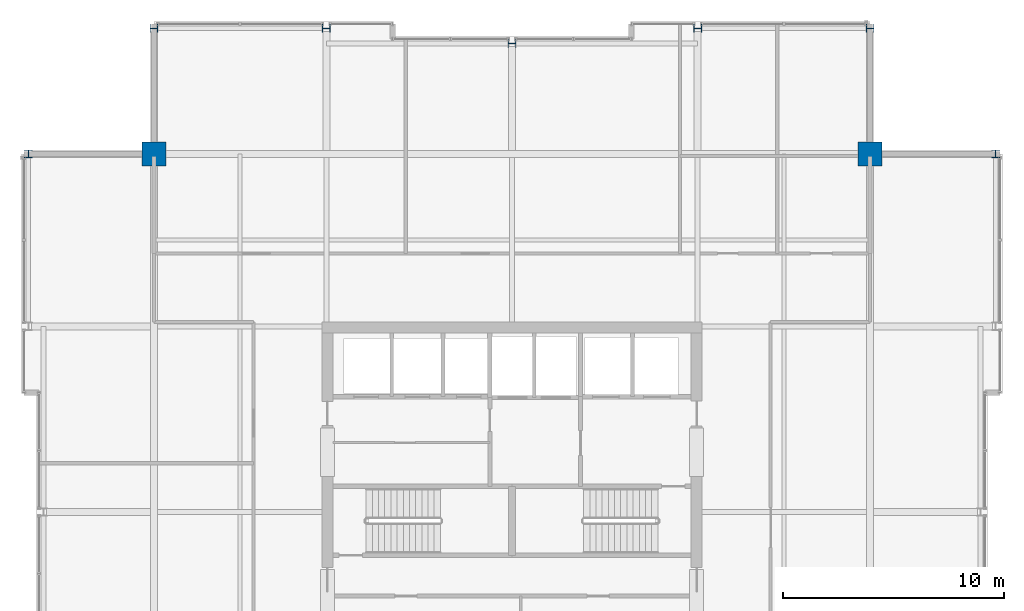
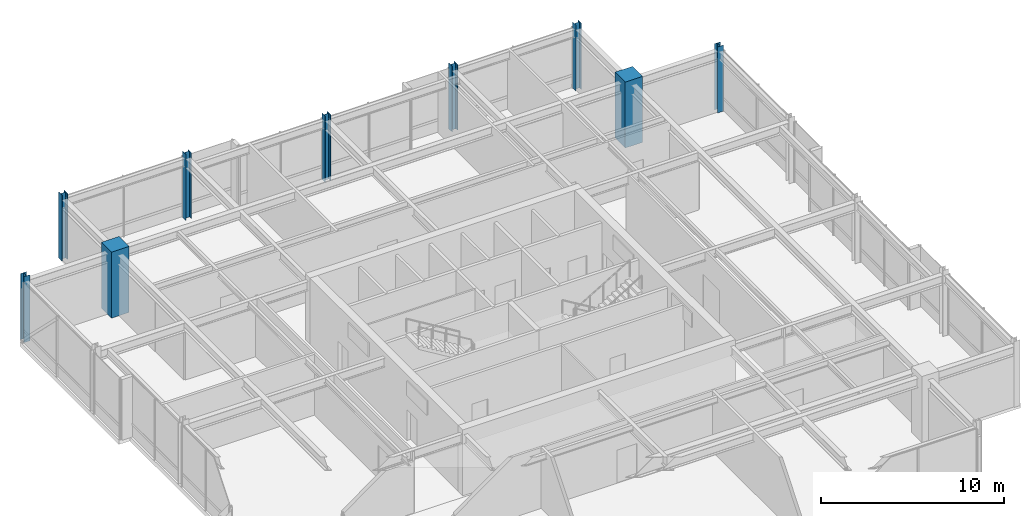
# One storey, part 3 of 33: 9 columns.
"""IFC4 building model written with IfcOpenShell, lengths in metres."""

from ifc_helpers import new_model, si_unit, direction, frame, origin, origin_2d, place, context, subcontext, project, spatial, rectangle, i_section, extrude, material, material_profile, profile_set, type_object, element, save


model = new_model("IFC4")

# Units and contexts
model_context = context("Model", 3, precision=1e-05, world=origin(), true_north=direction((0.0, 1.0)))
body_context = subcontext(model_context, "Body", "Model", "MODEL_VIEW")
ifc_project = project(units=[si_unit("LENGTHUNIT", "METRE"), si_unit("AREAUNIT", "SQUARE_METRE"), si_unit("VOLUMEUNIT", "CUBIC_METRE"), si_unit("PLANEANGLEUNIT", "RADIAN"), si_unit("MASSUNIT", "GRAM", prefix="KILO")], contexts=[model_context])

# Site, building, storey
site_placement = place(None, origin())
site = spatial("IfcSite", under=ifc_project, at=site_placement, CompositionType="ELEMENT")
building_placement = place(site_placement, origin())
building = spatial("IfcBuilding", under=site, at=building_placement, Name="Drelvath Grand Hotel", CompositionType="ELEMENT")
storey_placement = place(building_placement, frame((0.0, 0.0, 298.60009765625)))
storey = spatial("IfcBuildingStorey", under=building, at=storey_placement, Name="L78", CompositionType="ELEMENT", Elevation=298.60009765625)

# Columns
ifc_material_1 = material(Name="Concrete f'c 55 MPa", Category="concrete")
ifc_material_profile_1 = material_profile(ifc_material_1, rectangle(XDim=1.10009765625, YDim=1.10009765625, at=origin_2d()), Name="MC1100X1100")
ifc_profile_set_1 = profile_set([ifc_material_profile_1], Name="Concrete f'c 55 MPa")
column_type_1 = type_object("IfcColumnType", Name="Composite Mega Column MC1100X1100", PredefinedType="COLUMN", material=ifc_profile_set_1)
for number, where, z_axis, x_axis, name in (
    (1, (-16.199951171875, 43.199951171875, 0.0), (0.0, 0.0, 1.0), (1.0, 0.0, 0.0), "L78 Composite Mega Column MC-NW"),
    (2, (16.199951171875, 43.199951171875, 0.0), (0.0, 0.0, 1.0), (1.0, 0.0, 0.0), "L78 Composite Mega Column MC-NE"),
):
    element("IfcColumn", number, at=place(storey_placement, frame(where, z_axis=z_axis, x_axis=x_axis)), inside=storey, type_object=column_type_1, Name=name, PredefinedType="COLUMN", context=body_context, shape_type="SweptSolid", body=[
        extrude(rectangle(XDim=1.10009765625, YDim=1.10009765625, at=origin_2d()), origin(), (0.0, 0.0, 1.0), 4.39990234375),
    ])
ifc_material_2 = material(Name="Steel ASTM A913 Gr 65", Category="steel")
ifc_material_profile_2 = material_profile(ifc_material_2, i_section(OverallWidth=0.368896484375, OverallDepth=0.356201171875, WebThickness=0.01123046875, FlangeThickness=0.01806640625, FilletRadius=0.02490234375, at=origin_2d()), Name="W14X90")
ifc_profile_set_2 = profile_set([ifc_material_profile_2], Name="Steel ASTM A913 Gr 65")
column_type_2 = type_object("IfcColumnType", Name="Perimeter Steel Column W14X90", PredefinedType="COLUMN", material=ifc_profile_set_2)
for number, where, z_axis, x_axis, name in (
    (3, (-21.8798828125, 43.199951171875, 0.0), (0.0, 0.0, 1.0), (1.0, 0.0, 0.0), "L78 Structural Column TCW-G"),
    (4, (21.8798828125, 43.199951171875, 0.0), (0.0, 0.0, 1.0), (1.0, 0.0, 0.0), "L78 Structural Column TCE-G"),
    (5, (-16.199951171875, 48.8798828125, 0.0), (0.0, 0.0, 1.0), (0.0, 1.0, 0.0), "L78 Structural Column TCN-3"),
    (6, (-8.39990234375, 48.8798828125, 0.0), (0.0, 0.0, 1.0), (0.0, 1.0, 0.0), "L78 Structural Column TCN-4"),
    (7, (0.0, 48.199951171875, 0.0), (0.0, 0.0, 1.0), (0.0, 1.0, 0.0), "L78 Structural Column TCN-5"),
    (8, (8.39990234375, 48.8798828125, 0.0), (0.0, 0.0, 1.0), (0.0, 1.0, 0.0), "L78 Structural Column TCN-6"),
    (9, (16.199951171875, 48.8798828125, 0.0), (0.0, 0.0, 1.0), (0.0, 1.0, 0.0), "L78 Structural Column TCN-7"),
):
    element("IfcColumn", number, at=place(storey_placement, frame(where, z_axis=z_axis, x_axis=x_axis)), inside=storey, type_object=column_type_2, Name=name, PredefinedType="COLUMN", context=body_context, shape_type="SweptSolid", body=[
        extrude(i_section(OverallWidth=0.368896484375, OverallDepth=0.356201171875, WebThickness=0.01123046875, FlangeThickness=0.01806640625, FilletRadius=0.02490234375, at=origin_2d()), origin(), (0.0, 0.0, 1.0), 4.39697265625),
    ])

save(model, "model.ifc")
